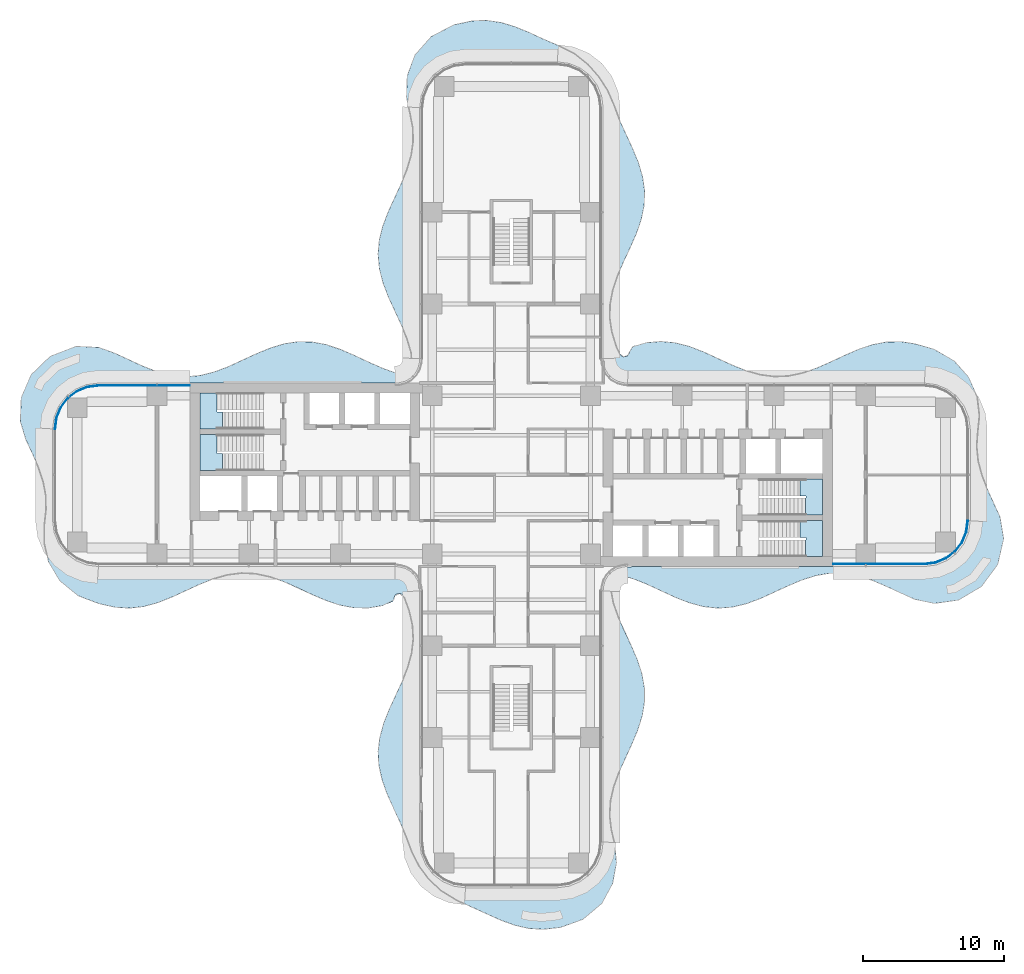
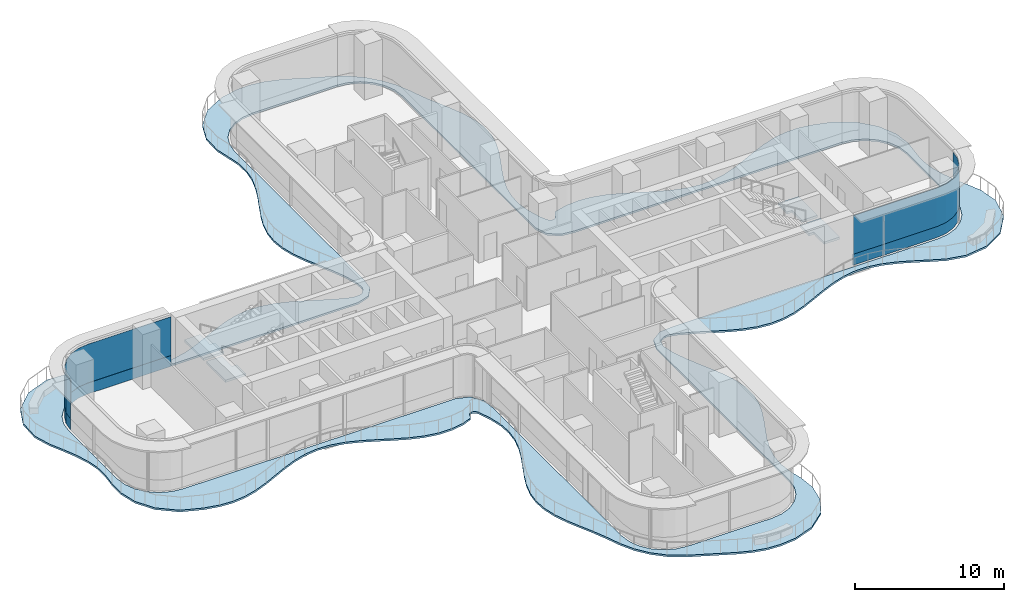
# One storey, part 15 of 22: 5 slabs, 4 plates, 6 elements without a shape of their own.
"""IFC4 building model written with IfcOpenShell, lengths in metres."""

from ifc_helpers import new_model, si_unit, direction, frame, origin, place, context, subcontext, project, spatial, polyline, outline, extrude, source, transform, mapped, material, layer, layer_set, type_object, element, aggregate, save


model = new_model("IFC4")

# Units and contexts
model_context = context("Model", 3, precision=1e-05, world=origin(), true_north=direction((0.0, 1.0)))
body_context = subcontext(model_context, "Body", "Model", "MODEL_VIEW")
ifc_project = project(units=[si_unit("LENGTHUNIT", "METRE"), si_unit("AREAUNIT", "SQUARE_METRE"), si_unit("VOLUMEUNIT", "CUBIC_METRE"), si_unit("PLANEANGLEUNIT", "RADIAN"), si_unit("MASSUNIT", "GRAM", prefix="KILO")], contexts=[model_context])

# Site, building, storey
site_placement = place(None, origin())
site = spatial("IfcSite", under=ifc_project, at=site_placement, CompositionType="ELEMENT")
building_placement = place(site_placement, origin())
building = spatial("IfcBuilding", under=site, at=building_placement, Name="Trellis Farm Tower", CompositionType="ELEMENT")
storey_placement = place(building_placement, frame((0.0, 0.0, 56.5)))
storey = spatial("IfcBuildingStorey", under=building, at=storey_placement, Name="L11", CompositionType="ELEMENT", Elevation=56.5)

# Slab
ifc_material_1 = material(Name="Concrete C40/50", Category="concrete")
ifc_layer_1 = layer(ifc_material_1, 0.14990234375)
ifc_layer_set_1 = layer_set([ifc_layer_1], Name="Balcony slab 150")
slab_type_1 = type_object("IfcSlabType", Name="Balcony slab 150", PredefinedType="FLOOR", material=ifc_layer_set_1)
slab_1_placement = place(storey_placement, frame((0.0, 0.0, -0.14990234375)))
element("IfcSlab", 1, at=slab_1_placement, inside=storey, type_object=slab_type_1, Name="Balcony slab", PredefinedType="FLOOR", context=body_context, shape_type="SweptSolid", body=[
    extrude(outline(polyline([(-33.087890625, -3.5712890625), (-32.966552734375, -2.48046875), (-32.966064453125, -2.470703125), (-32.985107421875, -1.475830078125), (-32.986572265625, -1.46337890625), (-33.16064453125, -0.528076171875), (-33.1630859375, -0.518310546875), (-33.502685546875, 0.510498046875), (-33.5048828125, 0.5166015625), (-33.92578125, 1.49267578125), (-33.926513671875, 1.494873046875), (-34.396240234375, 2.5), (-34.404052734375, 2.5205078125), (-34.781005859375, 3.779541015625), (-34.787109375, 3.82861328125), (-34.723388671875, 5.44189453125), (-34.719970703125, 5.469482421875), (-34.7119140625, 5.504638671875), (-34.703125, 5.531005859375), (-34.051513671875, 7.031982421875), (-34.037109375, 7.057861328125), (-34.014892578125, 7.08935546875), (-33.99560546875, 7.112060546875), (-32.6640625, 8.3876953125), (-32.64013671875, 8.40625), (-32.607177734375, 8.427001953125), (-32.580078125, 8.440673828125), (-30.862060546875, 9.087890625), (-30.832275390625, 9.095703125), (-30.792724609375, 9.101806640625), (-30.761962890625, 9.103271484375), (-29.226806640625, 9.023681640625), (-29.18310546875, 9.0146484375), (-28.109619140625, 8.621826171875), (-28.098388671875, 8.6171875), (-26.110595703125, 7.701904296875), (-26.1064453125, 7.699951171875), (-25.122314453125, 7.31884765625), (-25.114013671875, 7.31640625), (-24.078857421875, 7.048095703125), (-24.067138671875, 7.0458984375), (-23.076904296875, 6.953369140625), (-23.06396484375, 6.953369140625), (-22.08056640625, 7.03369140625), (-22.068603515625, 7.035400390625), (-21.08740234375, 7.27587890625), (-21.078857421875, 7.278564453125), (-20.09521484375, 7.64697265625), (-20.090087890625, 7.64892578125), (-18.110595703125, 8.55859375), (-18.105712890625, 8.560791015625), (-17.1201171875, 8.970947265625), (-17.1064453125, 8.975830078125), (-16.12890625, 9.2763671875), (-16.10791015625, 9.28125), (-15.135009765625, 9.4326171875), (-15.109130859375, 9.434326171875), (-14.135498046875, 9.4169921875), (-14.110107421875, 9.414306640625), (-13.130126953125, 9.228515625), (-13.110595703125, 9.223388671875), (-12.122314453125, 8.892578125), (-12.1103515625, 8.88818359375), (-11.114501953125, 8.457275390625), (-11.1103515625, 8.455322265625), (-10.115478515625, 7.98828125), (-10.114013671875, 7.98779296875), (-9.123779296875, 7.552490234375), (-9.119384765625, 7.55078125), (-8.2451171875, 7.23046875), (-8.2314453125, 7.22705078125), (-8.115966796875, 7.2080078125), (-8.101806640625, 7.20703125), (-7.645263671875, 7.21923828125), (-7.629150390625, 7.221435546875), (-7.505615234375, 7.25244140625), (-7.476806640625, 7.266845703125), (-7.378173828125, 7.34716796875), (-7.36669921875, 7.35888671875), (-7.13037109375, 7.65771484375), (-7.11767578125, 7.681884765625), (-7.05126953125, 7.896728515625), (-7.04833984375, 7.924560546875), (-7.1064453125, 8.63818359375), (-7.109375, 8.6533203125), (-7.39599609375, 9.62158203125), (-7.398681640625, 9.628662109375), (-7.801513671875, 10.614013671875), (-7.802734375, 10.616943359375), (-8.714599609375, 12.59716796875), (-8.718505859375, 12.606201171875), (-9.094970703125, 13.58837890625), (-9.10009765625, 13.604736328125), (-9.350830078125, 14.580078125), (-9.35498046875, 14.603515625), (-9.447509765625, 15.6064453125), (-9.447509765625, 15.633056640625), (-9.3642578125, 16.605224609375), (-9.3603515625, 16.628662109375), (-9.117431640625, 17.60400390625), (-9.1123046875, 17.62060546875), (-8.7412109375, 18.602294921875), (-8.7373046875, 18.612060546875), (-7.826416015625, 20.59228515625), (-7.8251953125, 20.594970703125), (-7.41796875, 21.580322265625), (-7.415283203125, 21.587646484375), (-7.106201171875, 22.619384765625), (-7.10400390625, 22.6298828125), (-6.96630859375, 23.56201171875), (-6.96533203125, 23.57470703125), (-6.98681640625, 24.561767578125), (-6.988037109375, 24.574462890625), (-7.184326171875, 25.5927734375), (-7.184814453125, 25.594482421875), (-7.427734375, 26.70751953125), (-7.43115234375, 26.743896484375), (-7.390869140625, 28.20751953125), (-7.3818359375, 28.2548828125), (-6.85986328125, 29.67919921875), (-6.847900390625, 29.7041015625), (-6.82958984375, 29.735107421875), (-6.813232421875, 29.75732421875), (-5.7197265625, 31.00244140625), (-5.69970703125, 31.021240234375), (-5.671875, 31.043212890625), (-5.648193359375, 31.058349609375), (-4.09130859375, 31.8671875), (-4.0537109375, 31.880859375), (-2.776611328125, 32.154296875), (-2.75, 32.157470703125), (-1.777099609375, 32.189453125), (-1.750732421875, 32.18798828125), (-0.748291015625, 32.04345703125), (-0.726318359375, 32.038818359375), (0.250732421875, 31.74560546875), (0.2646484375, 31.740478515625), (1.2421875, 31.33837890625), (1.24853515625, 31.335693359375), (2.252685546875, 30.8681640625), (2.2548828125, 30.8671875), (3.323974609375, 30.41259765625), (3.3330078125, 30.408447265625), (4.450927734375, 29.8427734375), (4.476806640625, 29.826171875), (5.416748046875, 29.075927734375), (5.435791015625, 29.0576171875), (6.1787109375, 28.212646484375), (6.19189453125, 28.1953125), (6.796875, 27.261962890625), (6.808349609375, 27.240234375), (7.2734375, 26.17236328125), (7.276611328125, 26.164794921875), (7.677490234375, 25.088623046875), (7.6796875, 25.08349609375), (8.59033203125, 23.10546875), (8.593017578125, 23.099609375), (8.996826171875, 22.114501953125), (9.001953125, 22.1005859375), (9.292724609375, 21.123291015625), (9.297607421875, 21.101806640625), (9.437255859375, 20.129150390625), (9.438720703125, 20.102783203125), (9.405517578125, 19.10009765625), (9.402587890625, 19.074951171875), (9.202880859375, 18.101318359375), (9.19775390625, 18.08251953125), (8.8642578125, 17.115478515625), (8.85986328125, 17.1044921875), (8.423828125, 16.10791015625), (8.422119140625, 16.104248046875), (7.951416015625, 15.10107421875), (7.95068359375, 15.09912109375), (7.515380859375, 14.094482421875), (7.512939453125, 14.08837890625), (7.177490234375, 13.087890625), (7.1748046875, 13.078125), (6.986083984375, 12.08349609375), (6.98486328125, 12.071044921875), (6.966552734375, 11.083984375), (6.96728515625, 11.0712890625), (7.10791015625, 10.138916015625), (7.1103515625, 10.12841796875), (7.42578125, 9.091064453125), (7.429931640625, 9.08056640625), (7.67578125, 8.5625), (7.685302734375, 8.547607421875), (7.771240234375, 8.441162109375), (7.798583984375, 8.419921875), (7.91552734375, 8.367919921875), (7.949462890625, 8.361572265625), (8.077392578125, 8.3681640625), (8.110595703125, 8.3779296875), (8.22119140625, 8.44189453125), (8.246337890625, 8.465576171875), (8.3212890625, 8.5810546875), (8.32861328125, 8.595458984375), (8.37841796875, 8.7275390625), (8.39111328125, 8.753173828125), (8.583984375, 9.06689453125), (8.67529296875, 9.1337890625), (9.58544921875, 9.36328125), (9.60986328125, 9.3671875), (10.581787109375, 9.447509765625), (10.608154296875, 9.447509765625), (11.583984375, 9.3564453125), (11.607421875, 9.352294921875), (12.5908203125, 9.100341796875), (12.607421875, 9.09521484375), (13.5986328125, 8.71484375), (13.607666015625, 8.711181640625), (15.597412109375, 7.794921875), (15.6005859375, 7.79345703125), (16.61962890625, 7.380615234375), (16.626953125, 7.3779296875), (17.625732421875, 7.090576171875), (17.63671875, 7.088134765625), (18.628662109375, 6.958984375), (18.6416015625, 6.958251953125), (19.626220703125, 7.001953125), (19.638427734375, 7.003662109375), (20.619873046875, 7.2119140625), (20.629150390625, 7.21435546875), (21.6123046875, 7.55908203125), (21.61767578125, 7.561279296875), (22.6044921875, 7.995849609375), (22.606201171875, 7.99658203125), (23.601318359375, 8.46337890625), (23.60546875, 8.465576171875), (24.601318359375, 8.895263671875), (24.61328125, 8.899658203125), (25.57861328125, 9.222412109375), (25.597900390625, 9.227294921875), (26.5712890625, 9.4130859375), (26.596923828125, 9.415771484375), (27.599853515625, 9.43310546875), (27.625732421875, 9.431396484375), (28.59814453125, 9.277587890625), (28.6162109375, 9.2734375), (29.91650390625, 8.898681640625), (29.949951171875, 8.884521484375), (31.334228515625, 8.086669921875), (31.37158203125, 8.05615234375), (32.374267578125, 6.92431640625), (32.3994140625, 6.885009765625), (32.985595703125, 5.54833984375), (32.997314453125, 5.5048828125), (33.14501953125, 4.190185546875), (33.14501953125, 4.157958984375), (33.024169921875, 2.99853515625), (33.02392578125, 2.99609375), (32.953369140625, 2.03564453125), (32.95361328125, 2.022705078125), (33.058837890625, 0.978759765625), (33.06103515625, 0.967041015625), (33.322265625, -0.014404296875), (33.32470703125, -0.022216796875), (33.69970703125, -0.987548828125), (33.701416015625, -0.991455078125), (34.607421875, -2.980712890625), (34.618896484375, -3.018310546875), (34.86376953125, -4.4873046875), (34.865478515625, -4.51708984375), (34.8642578125, -4.5546875), (34.860595703125, -4.583740234375), (34.453125, -6.32421875), (34.443115234375, -6.353271484375), (34.42626953125, -6.389404296875), (34.410400390625, -6.416015625), (33.31103515625, -7.88671875), (33.291015625, -7.90869140625), (33.26220703125, -7.934326171875), (33.238037109375, -7.951904296875), (31.702392578125, -8.8525390625), (31.67578125, -8.86474609375), (31.639892578125, -8.877197265625), (31.611328125, -8.884033203125), (29.98681640625, -9.110107421875), (29.9609375, -9.111572265625), (29.92724609375, -9.1103515625), (29.901123046875, -9.107177734375), (28.595703125, -8.826904296875), (28.56640625, -8.8173828125), (27.59765625, -8.388671875), (27.5947265625, -8.387451171875), (26.594482421875, -7.91845703125), (26.59228515625, -7.917236328125), (25.587890625, -7.4873046875), (25.581787109375, -7.48486328125), (24.581298828125, -7.158447265625), (24.5712890625, -7.156005859375), (23.577392578125, -6.97900390625), (23.564697265625, -6.977783203125), (22.578125, -6.971923828125), (22.5654296875, -6.972900390625), (21.583740234375, -7.13623046875), (21.573486328125, -7.138671875), (20.59130859375, -7.4482421875), (20.584716796875, -7.45068359375), (19.5986328125, -7.865478515625), (19.596435546875, -7.866455078125), (17.6162109375, -8.7744140625), (17.60546875, -8.779052734375), (16.62451171875, -9.14013671875), (16.607177734375, -9.145263671875), (15.63232421875, -9.375), (15.6083984375, -9.378662109375), (14.635986328125, -9.44677734375), (14.609619140625, -9.4462890625), (13.606689453125, -9.33837890625), (13.583740234375, -9.333984375), (12.60791015625, -9.070556640625), (12.59228515625, -9.065185546875), (11.609130859375, -8.6796875), (11.60107421875, -8.676513671875), (9.621337890625, -7.763671875), (9.61767578125, -7.761962890625), (8.59521484375, -7.35498046875), (8.58642578125, -7.35205078125), (7.95361328125, -7.185791015625), (7.927734375, -7.18359375), (7.71435546875, -7.20361328125), (7.689208984375, -7.210693359375), (7.34765625, -7.37353515625), (7.333740234375, -7.382080078125), (7.2333984375, -7.460693359375), (7.213134765625, -7.485595703125), (7.155517578125, -7.59912109375), (7.14990234375, -7.614501953125), (7.03466796875, -8.06640625), (7.0322265625, -8.083740234375), (7.0302734375, -8.2294921875), (7.031982421875, -8.246826171875), (7.220458984375, -9.083740234375), (7.222900390625, -9.092529296875), (7.587890625, -10.11767578125), (7.590087890625, -10.123046875), (8.029052734375, -11.110107421875), (8.029541015625, -11.111572265625), (8.496337890625, -12.107421875), (8.49853515625, -12.112060546875), (8.91748046875, -13.093017578125), (8.922119140625, -13.105224609375), (9.2412109375, -14.083984375), (9.24609375, -14.10400390625), (9.42041015625, -15.077392578125), (9.4228515625, -15.102783203125), (9.429931640625, -16.075927734375), (9.427978515625, -16.101806640625), (9.265380859375, -17.08056640625), (9.260498046875, -17.101318359375), (8.947998046875, -18.088134765625), (8.943359375, -18.101318359375), (8.520263671875, -19.102783203125), (8.5185546875, -19.106689453125), (7.6025390625, -21.109375), (7.600341796875, -21.114990234375), (7.251220703125, -22.07470703125), (7.24853515625, -22.08349609375), (7.021240234375, -23.064697265625), (7.01953125, -23.0771484375), (6.9560546875, -24.1220703125), (6.956298828125, -24.13525390625), (7.07080078125, -25.11376953125), (7.072509765625, -25.12255859375), (7.322998046875, -26.170654296875), (7.32666015625, -26.19189453125), (7.442138671875, -27.471435546875), (7.440185546875, -27.512451171875), (7.1767578125, -28.924072265625), (7.16162109375, -28.96728515625), (6.447509765625, -30.30224609375), (6.431396484375, -30.326171875), (6.40869140625, -30.354248046875), (6.388916015625, -30.374267578125), (5.08251953125, -31.471923828125), (5.060546875, -31.4873046875), (5.0302734375, -31.504638671875), (5.005859375, -31.515869140625), (3.46728515625, -32.061279296875), (3.433349609375, -32.069091796875), (2.27490234375, -32.194580078125), (2.25, -32.1953125), (1.24755859375, -32.13671875), (1.222900390625, -32.13330078125), (0.24853515625, -31.91162109375), (0.230712890625, -31.906494140625), (-0.738037109375, -31.555908203125), (-0.748779296875, -31.551513671875), (-3.849853515625, -30.1484375), (-3.8662109375, -30.139892578125), (-4.961181640625, -29.47021484375), (-4.985107421875, -29.4521484375), (-5.83447265625, -28.665283203125), (-5.852783203125, -28.644775390625), (-6.522216796875, -27.74609375), (-6.53564453125, -27.724609375), (-7.053955078125, -26.705078125), (-7.060546875, -26.689697265625), (-7.466796875, -25.60595703125), (-7.468017578125, -25.602783203125), (-7.892578125, -24.604736328125), (-7.8935546875, -24.602294921875), (-8.364013671875, -23.59814453125), (-8.364990234375, -23.595703125), (-8.80419921875, -22.610107421875), (-8.808349609375, -22.599853515625), (-9.16162109375, -21.619140625), (-9.1669921875, -21.600830078125), (-9.3896484375, -20.598388671875), (-9.39306640625, -20.57373046875), (-9.4443359375, -19.59912109375), (-9.443603515625, -19.5732421875), (-9.329345703125, -18.626708984375), (-9.324951171875, -18.6044921875), (-9.046142578125, -17.60205078125), (-9.041015625, -17.586669921875), (-8.6484375, -16.60302734375), (-8.6455078125, -16.595703125), (-7.732421875, -14.615966796875), (-7.730712890625, -14.612060546875), (-7.3427734375, -13.62744140625), (-7.340087890625, -13.619873046875), (-7.0712890625, -12.63818359375), (-7.069091796875, -12.626953125), (-6.955810546875, -11.644287109375), (-6.955322265625, -11.63134765625), (-7.013916015625, -10.642578125), (-7.015625, -10.630615234375), (-7.24169921875, -9.63427734375), (-7.244384765625, -9.62548828125), (-7.583740234375, -8.689697265625), (-7.591064453125, -8.675048828125), (-7.6630859375, -8.561767578125), (-7.67333984375, -8.549072265625), (-7.70947265625, -8.512939453125), (-7.726318359375, -8.500244140625), (-7.86962890625, -8.42138671875), (-7.909912109375, -8.41259765625), (-8.0625, -8.42236328125), (-8.10107421875, -8.436279296875), (-8.224609375, -8.5263671875), (-8.24951171875, -8.558837890625), (-8.31005859375, -8.713134765625), (-8.314453125, -8.729736328125), (-8.334228515625, -8.867919921875), (-8.4267578125, -8.98583984375), (-9.115478515625, -9.262939453125), (-9.147216796875, -9.27197265625), (-10.113037109375, -9.429443359375), (-10.138916015625, -9.431396484375), (-11.112060546875, -9.421142578125), (-11.13720703125, -9.418701171875), (-12.110595703125, -9.241455078125), (-12.130615234375, -9.236572265625), (-13.094970703125, -8.920654296875), (-13.107421875, -8.916015625), (-14.102783203125, -8.490234375), (-14.107421875, -8.48828125), (-15.10302734375, -8.021484375), (-15.1044921875, -8.020751953125), (-16.091796875, -7.582763671875), (-16.096923828125, -7.580810546875), (-17.080078125, -7.22998046875), (-17.08935546875, -7.227294921875), (-18.127685546875, -7.00341796875), (-18.14013671875, -7.001708984375), (-19.128173828125, -6.95849609375), (-19.14111328125, -6.958984375), (-20.123291015625, -7.08740234375), (-20.13427734375, -7.089599609375), (-21.115966796875, -7.370849609375), (-21.123291015625, -7.373291015625), (-22.1083984375, -7.77001953125), (-22.11181640625, -7.771240234375), (-24.091796875, -8.68408203125), (-24.10009765625, -8.6875), (-25.101318359375, -9.077392578125), (-25.1171875, -9.08251953125), (-26.07470703125, -9.337646484375), (-26.097412109375, -9.341796875), (-27.06982421875, -9.446044921875), (-27.09619140625, -9.446533203125), (-28.07373046875, -9.3798828125), (-28.095703125, -9.376708984375), (-29.181884765625, -9.13818359375), (-29.202880859375, -9.1318359375), (-30.673828125, -8.574951171875), (-30.71630859375, -8.550537109375), (-31.970703125, -7.51708984375), (-31.989501953125, -7.4990234375), (-32.011474609375, -7.47314453125), (-32.026611328125, -7.451904296875), (-32.779052734375, -6.179443359375), (-32.796142578125, -6.136474609375), (-33.09765625, -4.814208984375), (-33.101318359375, -4.779296875), (-33.088623046875, -3.58642578125), (-33.087890625, -3.5712890625)]), holes=[polyline([(-8.164794921875, 6.507568359375), (-27.41845703125, 6.50048828125), (-29.25, 6.50048828125), (-30.09130859375, 6.389892578125), (-30.875244140625, 6.065185546875), (-31.548583984375, 5.548583984375), (-32.065185546875, 4.875244140625), (-32.389892578125, 4.09130859375), (-32.50048828125, 3.25), (-32.50048828125, -3.25), (-32.389892578125, -4.09130859375), (-32.065185546875, -4.875244140625), (-31.548583984375, -5.548583984375), (-30.875244140625, -6.065185546875), (-30.09130859375, -6.389892578125), (-29.25, -6.50048828125), (-27.418701171875, -6.50048828125), (-8.164794921875, -6.507568359375), (-8.11767578125, -6.51513671875), (-7.25390625, -6.801513671875), (-7.2119140625, -6.8232421875), (-7.16650390625, -6.856689453125), (-7.134033203125, -6.8896484375), (-6.644287109375, -7.569091796875), (-6.6259765625, -7.603271484375), (-6.6083984375, -7.64892578125), (-6.599365234375, -7.686767578125), (-6.500732421875, -8.61083984375), (-6.50048828125, -8.615478515625), (-6.50048828125, -26.0), (-6.389892578125, -26.84130859375), (-6.065185546875, -27.625244140625), (-5.548583984375, -28.298583984375), (-4.875244140625, -28.815185546875), (-4.09130859375, -29.139892578125), (-3.25, -29.25048828125), (3.25, -29.25048828125), (4.09130859375, -29.139892578125), (4.875244140625, -28.815185546875), (5.548583984375, -28.298583984375), (6.065185546875, -27.625244140625), (6.389892578125, -26.84130859375), (6.50048828125, -26.0), (6.50048828125, -23.725830078125), (6.5078125, -8.16259765625), (6.515380859375, -8.115478515625), (6.802490234375, -7.251953125), (6.824462890625, -7.209716796875), (6.858154296875, -7.16455078125), (6.89111328125, -7.132080078125), (7.571533203125, -6.6435546875), (7.60546875, -6.625244140625), (7.651123046875, -6.60791015625), (7.688720703125, -6.598876953125), (8.61328125, -6.500732421875), (8.617919921875, -6.50048828125), (29.25, -6.50048828125), (30.09130859375, -6.389892578125), (30.875244140625, -6.065185546875), (31.548583984375, -5.548583984375), (32.065185546875, -4.875244140625), (32.389892578125, -4.09130859375), (32.50048828125, -3.25), (32.50048828125, 3.25), (32.389892578125, 4.09130859375), (32.065185546875, 4.875244140625), (31.548583984375, 5.548583984375), (30.875244140625, 6.065185546875), (30.09130859375, 6.389892578125), (29.25, 6.50048828125), (8.617919921875, 6.50048828125), (8.61328125, 6.500732421875), (7.688720703125, 6.598876953125), (7.651123046875, 6.60791015625), (7.60546875, 6.625244140625), (7.571533203125, 6.6435546875), (6.89111328125, 7.132080078125), (6.858154296875, 7.16455078125), (6.824462890625, 7.209716796875), (6.802490234375, 7.251953125), (6.515380859375, 8.115478515625), (6.5078125, 8.16259765625), (6.50048828125, 23.778076171875), (6.50048828125, 26.0), (6.389892578125, 26.84130859375), (6.065185546875, 27.625244140625), (5.548583984375, 28.298583984375), (4.875244140625, 28.815185546875), (4.09130859375, 29.139892578125), (3.25, 29.25048828125), (-3.25, 29.25048828125), (-4.09130859375, 29.139892578125), (-4.875244140625, 28.815185546875), (-5.548583984375, 28.298583984375), (-6.065185546875, 27.625244140625), (-6.389892578125, 26.84130859375), (-6.50048828125, 26.0), (-6.50048828125, 8.615478515625), (-6.500732421875, 8.61083984375), (-6.599365234375, 7.686767578125), (-6.6083984375, 7.64892578125), (-6.6259765625, 7.603271484375), (-6.644287109375, 7.569091796875), (-7.134033203125, 6.8896484375), (-7.16650390625, 6.856689453125), (-7.2119140625, 6.8232421875), (-7.25390625, 6.801513671875), (-8.11767578125, 6.51513671875), (-8.164794921875, 6.507568359375)])]), origin(), (0.0, 0.0, 1.0), 0.14990234375),
])

# Stair, slab
ifc_material_2 = material(Name="Concrete C50/60", Category="concrete")
stair_type = type_object("IfcStairType", Name="CORE EXIT STAIR 26 RISERS 173 MM", PredefinedType="HALF_TURN_STAIR", material=ifc_material_2)
placement_1 = place(storey_placement, origin())
stair_1 = element("IfcStair", 2, at=placement_1, inside=storey, type_object=stair_type, Name="Exit stair E1", PredefinedType="HALF_TURN_STAIR")
ifc_layer_2 = layer(ifc_material_2, 0.18994140625)
ifc_layer_set_2 = layer_set([ifc_layer_2], Name="CORE STAIR LANDING 190 CONCRETE C50/60")
slab_type_2 = type_object("IfcSlabType", Name="CORE STAIR LANDING 190 CONCRETE C50/60", PredefinedType="LANDING", material=ifc_layer_set_2)
shared_shape_1 = source(origin(), body_context, "Body", "SweptSolid", [
    extrude(outline(polyline([(20.840087890625, -5.800048828125), (20.840087890625, -4.60009765625), (20.85009765625, -4.60009765625), (20.85009765625, -4.449951171875), (20.453125, -4.449951171875), (20.453125, -3.25), (20.85009765625, -3.25), (22.050048828125, -3.25), (22.050048828125, -5.800048828125), (20.85009765625, -5.800048828125), (20.840087890625, -5.800048828125)])), origin(), (0.0, 0.0, 1.0), 0.18994140625),
])
placement_2 = place(storey_placement, frame((0.0, 0.0, 2.06005859375)))
slab_2 = element("IfcSlab", 3, at=placement_2, type_object=slab_type_2, Name="STE1 landing 1", PredefinedType="LANDING", context=body_context, shape_type="MappedRepresentation", body=[
    mapped(shared_shape_1, transform((0.0, 0.0, 0.0))),
])
aggregate(stair_1, [slab_2])

stair_2 = element("IfcStair", 4, at=placement_1, inside=storey, type_object=stair_type, Name="Exit stair E2", PredefinedType="HALF_TURN_STAIR")
shared_shape_2 = source(origin(), body_context, "Body", "SweptSolid", [
    extrude(outline(polyline([(20.840087890625, -2.85009765625), (20.840087890625, -1.64990234375), (20.85009765625, -1.64990234375), (20.85009765625, -1.5), (20.453125, -1.5), (20.453125, -0.300048828125), (20.85009765625, -0.300048828125), (22.050048828125, -0.300048828125), (22.050048828125, -2.85009765625), (20.85009765625, -2.85009765625), (20.840087890625, -2.85009765625)])), origin(), (0.0, 0.0, 1.0), 0.18994140625),
])
slab_3 = element("IfcSlab", 5, at=placement_2, type_object=slab_type_2, Name="STE2 landing 1", PredefinedType="LANDING", context=body_context, shape_type="MappedRepresentation", body=[
    mapped(shared_shape_2, transform((0.0, 0.0, 0.0))),
])
aggregate(stair_2, [slab_3])

stair_3 = element("IfcStair", 6, at=placement_1, inside=storey, type_object=stair_type, Name="Exit stair W1", PredefinedType="HALF_TURN_STAIR")
shared_shape_3 = source(origin(), body_context, "Body", "SweptSolid", [
    extrude(outline(polyline([(-20.453125, 4.449951171875), (-20.453125, 3.25), (-20.85009765625, 3.25), (-22.050048828125, 3.25), (-22.050048828125, 5.800048828125), (-20.85009765625, 5.800048828125), (-20.840087890625, 5.800048828125), (-20.840087890625, 4.60009765625), (-20.85009765625, 4.60009765625), (-20.85009765625, 4.449951171875), (-20.453125, 4.449951171875)])), origin(), (0.0, 0.0, 1.0), 0.18994140625),
])
slab_4 = element("IfcSlab", 7, at=placement_2, type_object=slab_type_2, Name="STW1 landing 1", PredefinedType="LANDING", context=body_context, shape_type="MappedRepresentation", body=[
    mapped(shared_shape_3, transform((0.0, 0.0, 0.0))),
])
aggregate(stair_3, [slab_4])

stair_4 = element("IfcStair", 8, at=placement_1, inside=storey, type_object=stair_type, Name="Exit stair W2", PredefinedType="HALF_TURN_STAIR")
shared_shape_4 = source(origin(), body_context, "Body", "SweptSolid", [
    extrude(outline(polyline([(-20.453125, 1.5), (-20.453125, 0.300048828125), (-20.85009765625, 0.300048828125), (-22.050048828125, 0.300048828125), (-22.050048828125, 2.85009765625), (-20.85009765625, 2.85009765625), (-20.840087890625, 2.85009765625), (-20.840087890625, 1.64990234375), (-20.85009765625, 1.64990234375), (-20.85009765625, 1.5), (-20.453125, 1.5)])), origin(), (0.0, 0.0, 1.0), 0.18994140625),
])
slab_5 = element("IfcSlab", 9, at=placement_2, type_object=slab_type_2, Name="STW2 landing 1", PredefinedType="LANDING", context=body_context, shape_type="MappedRepresentation", body=[
    mapped(shared_shape_4, transform((0.0, 0.0, 0.0))),
])
aggregate(stair_4, [slab_5])

# Curtain wall, plates
ifc_material_3 = material(Name="Aluminium and glass curtain wall", Category="aluminium")
ifc_layer_3 = layer(ifc_material_3, 0.18994140625)
ifc_layer_set_3 = layer_set([ifc_layer_3], Name="RIBBON CURTAIN WALL CW1")
curtain_wall_type = type_object("IfcCurtainWallType", Name="RIBBON CURTAIN WALL CW1", PredefinedType="NOTDEFINED", material=ifc_layer_set_3)
curtain_wall_1 = element("IfcCurtainWall", 10, at=placement_1, inside=storey, type_object=curtain_wall_type, Name="CW1 006", PredefinedType="NOTDEFINED")
ifc_material_4 = material(Name="Clear insulated glass", Category="glass")
ifc_layer_4 = layer(ifc_material_4, 0.0400390625)
ifc_layer_set_4 = layer_set([ifc_layer_4], Name="CW1 GLASS PANEL 40")
plate_type_1 = type_object("IfcPlateType", Name="CW1 GLASS PANEL 40", PredefinedType="CURTAIN_PANEL", material=ifc_layer_set_4)
shared_shape_5 = source(origin(), body_context, "Body", "SweptSolid", [
    extrude(outline(polyline([(22.780029296875, -6.35009765625), (29.240234375, -6.35009765625), (30.052001953125, -6.2431640625), (30.79931640625, -5.93359375), (31.441162109375, -5.441162109375), (31.93359375, -4.79931640625), (32.2431640625, -4.052001953125), (32.35009765625, -3.240234375), (32.31005859375, -3.237548828125), (32.2041015625, -4.04150390625), (31.898681640625, -4.779296875), (31.41259765625, -5.41259765625), (30.779296875, -5.898681640625), (30.04150390625, -6.2041015625), (29.237548828125, -6.31005859375), (22.780029296875, -6.31005859375), (22.780029296875, -6.35009765625)])), origin(), (0.0, 0.0, 1.0), 3.170166015625),
])
placement_3 = place(storey_placement, frame((0.0, 0.0, 0.89990234375)))
plate_1 = element("IfcPlate", 11, at=placement_3, type_object=plate_type_1, Name="PL1 006", PredefinedType="CURTAIN_PANEL", context=body_context, shape_type="MappedRepresentation", body=[
    mapped(shared_shape_5, transform((0.0, 0.0, 0.0))),
])
ifc_material_5 = material(Name="Sandstone faced insulated panel", Category="masonry")
ifc_layer_5 = layer(ifc_material_5, 0.050048828125)
ifc_layer_set_5 = layer_set([ifc_layer_5], Name="CW1 STONE SPANDREL PANEL 50")
plate_type_2 = type_object("IfcPlateType", Name="CW1 STONE SPANDREL PANEL 50", PredefinedType="CURTAIN_PANEL", material=ifc_layer_set_5)
shared_shape_6 = source(origin(), body_context, "Body", "SweptSolid", [
    extrude(outline(polyline([(22.780029296875, -6.35009765625), (29.240234375, -6.35009765625), (30.052001953125, -6.2431640625), (30.79931640625, -5.93359375), (31.441162109375, -5.441162109375), (31.93359375, -4.79931640625), (32.2431640625, -4.052001953125), (32.35009765625, -3.240234375), (32.300048828125, -3.23681640625), (32.1943359375, -4.0390625), (31.889892578125, -4.774169921875), (31.405517578125, -5.405517578125), (30.774169921875, -5.889892578125), (30.0390625, -6.1943359375), (29.23681640625, -6.300048828125), (22.780029296875, -6.300048828125), (22.780029296875, -6.35009765625)])), origin(), (0.0, 0.0, 1.0), 0.89990234375),
])
plate_2 = element("IfcPlate", 12, at=placement_1, type_object=plate_type_2, Name="PS1 006", PredefinedType="CURTAIN_PANEL", context=body_context, shape_type="MappedRepresentation", body=[
    mapped(shared_shape_6, transform((0.0, 0.0, 0.0))),
])
aggregate(curtain_wall_1, [plate_1, plate_2])

curtain_wall_2 = element("IfcCurtainWall", 13, at=placement_1, inside=storey, type_object=curtain_wall_type, Name="CW1 012", PredefinedType="NOTDEFINED")
shared_shape_7 = source(origin(), body_context, "Body", "SweptSolid", [
    extrude(outline(polyline([(-22.780029296875, 6.35009765625), (-29.240234375, 6.35009765625), (-30.052001953125, 6.2431640625), (-30.79931640625, 5.93359375), (-31.441162109375, 5.441162109375), (-31.93359375, 4.79931640625), (-32.2431640625, 4.052001953125), (-32.35009765625, 3.240234375), (-32.31005859375, 3.237548828125), (-32.2041015625, 4.04150390625), (-31.898681640625, 4.779296875), (-31.41259765625, 5.41259765625), (-30.779296875, 5.898681640625), (-30.04150390625, 6.2041015625), (-29.237548828125, 6.31005859375), (-22.780029296875, 6.31005859375), (-22.780029296875, 6.35009765625)])), origin(), (0.0, 0.0, 1.0), 3.170166015625),
])
plate_3 = element("IfcPlate", 14, at=placement_3, type_object=plate_type_1, Name="PL1 012", PredefinedType="CURTAIN_PANEL", context=body_context, shape_type="MappedRepresentation", body=[
    mapped(shared_shape_7, transform((0.0, 0.0, 0.0))),
])
shared_shape_8 = source(origin(), body_context, "Body", "SweptSolid", [
    extrude(outline(polyline([(-22.780029296875, 6.35009765625), (-29.240234375, 6.35009765625), (-30.052001953125, 6.2431640625), (-30.79931640625, 5.93359375), (-31.441162109375, 5.441162109375), (-31.93359375, 4.79931640625), (-32.2431640625, 4.052001953125), (-32.35009765625, 3.240234375), (-32.300048828125, 3.23681640625), (-32.1943359375, 4.0390625), (-31.889892578125, 4.774169921875), (-31.405517578125, 5.405517578125), (-30.774169921875, 5.889892578125), (-30.0390625, 6.1943359375), (-29.23681640625, 6.300048828125), (-22.780029296875, 6.300048828125), (-22.780029296875, 6.35009765625)])), origin(), (0.0, 0.0, 1.0), 0.89990234375),
])
plate_4 = element("IfcPlate", 15, at=placement_1, type_object=plate_type_2, Name="PS1 012", PredefinedType="CURTAIN_PANEL", context=body_context, shape_type="MappedRepresentation", body=[
    mapped(shared_shape_8, transform((0.0, 0.0, 0.0))),
])
aggregate(curtain_wall_2, [plate_3, plate_4])

save(model, "model.ifc")
